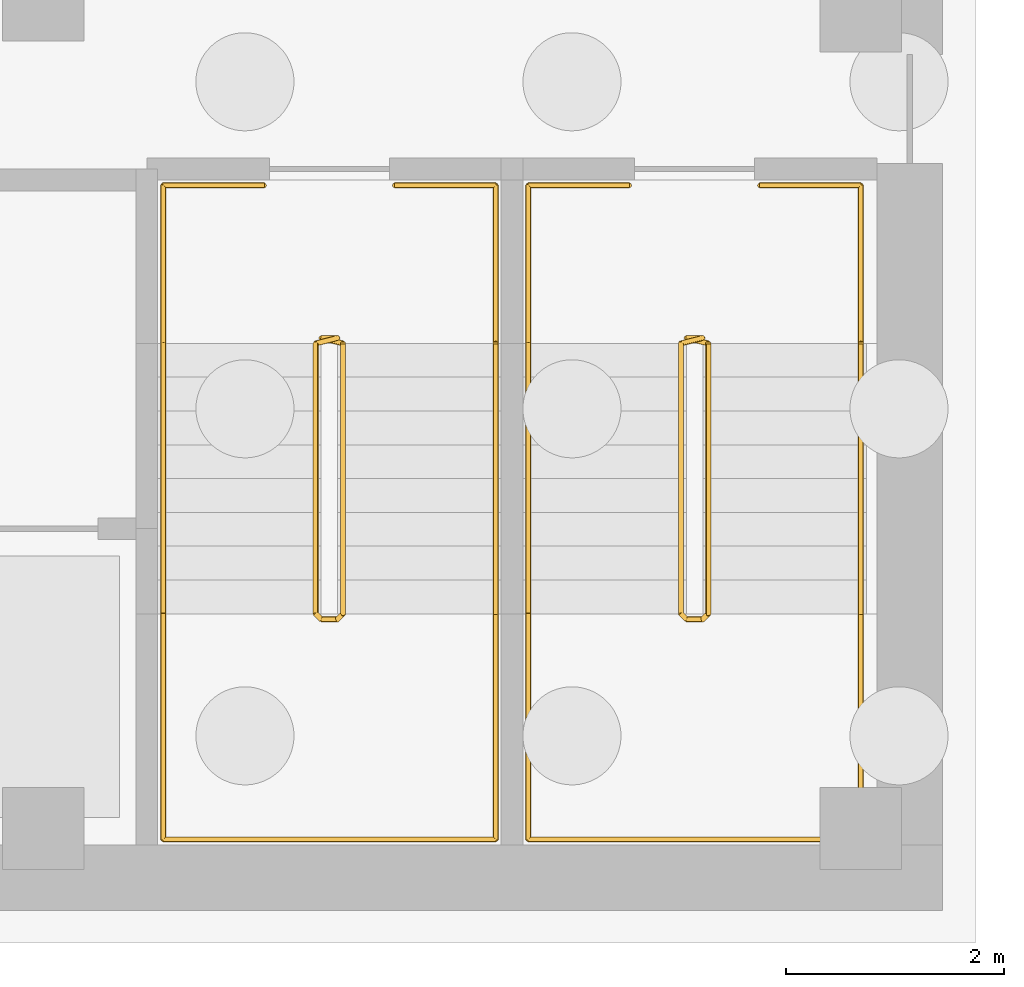
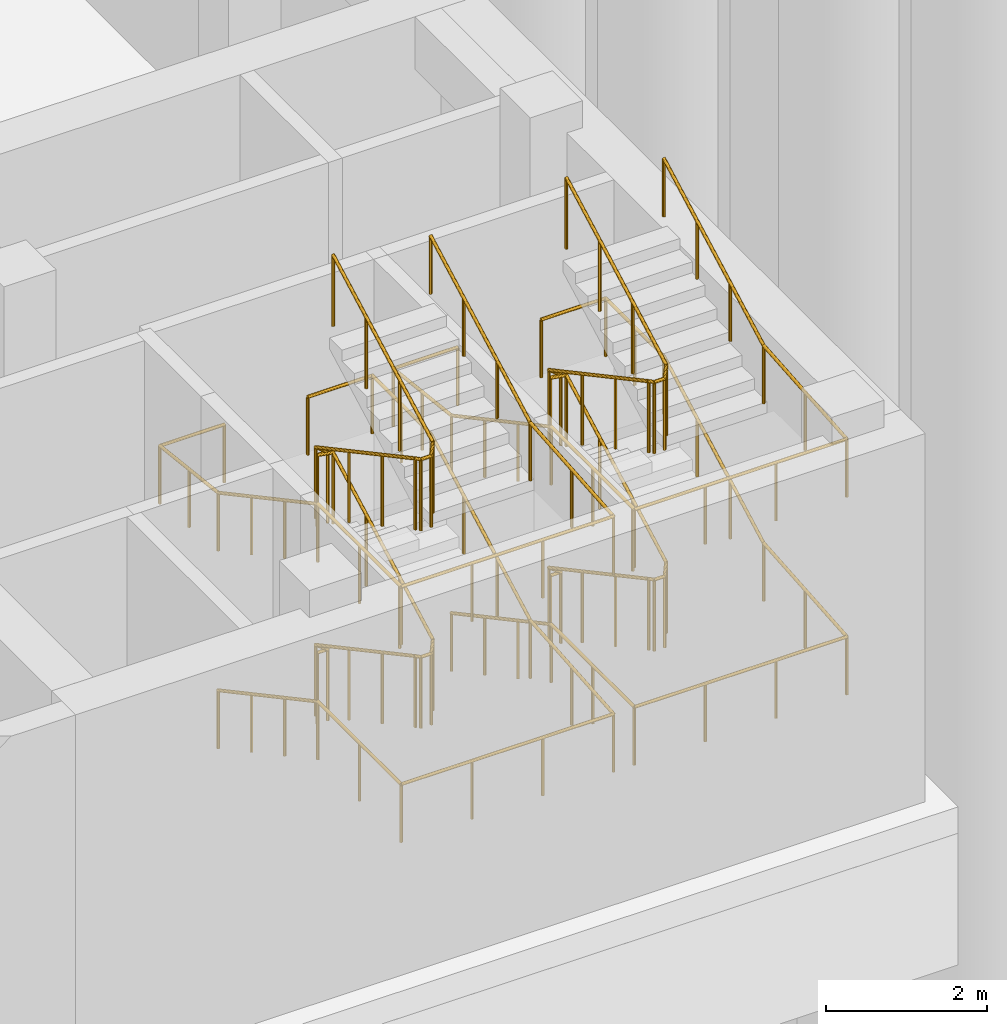
# One storey, part 19 of 26: 6 railings.
"""IFC4 building model written with IfcOpenShell, lengths in metres."""

from ifc_helpers import new_model, si_unit, direction, frame, origin, origin_2d, place, context, subcontext, project, spatial, circle, extrude, material, type_object, element, save


model = new_model("IFC4")

# Units and contexts
model_context = context("Model", 3, precision=1e-05, world=origin(), true_north=direction((0.0, 1.0)))
body_context = subcontext(model_context, "Body", "Model", "MODEL_VIEW")
ifc_project = project(units=[si_unit("LENGTHUNIT", "METRE"), si_unit("AREAUNIT", "SQUARE_METRE"), si_unit("VOLUMEUNIT", "CUBIC_METRE"), si_unit("PLANEANGLEUNIT", "RADIAN"), si_unit("MASSUNIT", "GRAM", prefix="KILO")], contexts=[model_context])

# Site, building, storey
site_placement = place(None, origin())
site = spatial("IfcSite", under=ifc_project, at=site_placement, CompositionType="ELEMENT")
building_placement = place(site_placement, origin())
building = spatial("IfcBuilding", under=site, at=building_placement, Name="Tessera Arch", CompositionType="ELEMENT")
storey_placement = place(building_placement, frame((0.0, 0.0, -6.0)))
storey = spatial("IfcBuildingStorey", under=building, at=storey_placement, Name="B1", CompositionType="ELEMENT", Elevation=-6.0)

# Railings
ifc_material_1 = material(Name="Painted steel balustrade", Category="steel")
railing_type_1 = type_object("IfcRailingType", Name="Stair guard 1100", PredefinedType="GUARDRAIL", material=ifc_material_1)
railing_1_placement = place(storey_placement, frame((11.60009765625, -27.300048828125, 0.0)))
element("IfcRailing", 1, at=railing_1_placement, inside=storey, type_object=railing_type_1, Name="B1 M3a stair guard 1", PredefinedType="GUARDRAIL", context=body_context, shape_type="SweptSolid", body=[
    extrude(circle(Radius=0.02392578125, at=origin_2d()), frame((-0.00390625, 0.0, 1.076171875), z_axis=(1.0, 0.0, 0.0), x_axis=(0.0, 1.0, 0.0)), (0.0, 0.0, 1.0), 0.157958984375),
    extrude(circle(Radius=0.02392578125, at=origin_2d()), frame((0.15283203125, 0.000732421875, 1.073486328125), z_axis=(-0.754182335027, -0.188775798145, 0.628945707965), x_axis=(0.242814311512, -0.970072785993, 0.0)), (0.0, 0.0, 1.0), 0.273193359375),
    extrude(circle(Radius=0.02392578125, at=origin_2d()), frame((-0.050048828125, -0.046630859375, 1.240966796875), z_axis=(0.0, -0.880785522881, 0.473515430248), x_axis=(1.0, 0.0, 0.0)), (0.0, 0.0, 1.0), 2.82373046875),
    extrude(circle(Radius=0.02392578125, at=origin_2d()), frame((-0.052978515625, -2.527099609375, 2.576171875), z_axis=(0.708833529934, -0.705375805398, 0.0), x_axis=(0.705375805398, 0.708833529934, 0.0)), (0.0, 0.0, 1.0), 0.07861328125),
    extrude(circle(Radius=0.02392578125, at=origin_2d()), frame((-0.00390625, -2.579833984375, 2.576171875), z_axis=(1.0, 0.0, 0.0), x_axis=(0.0, 1.0, 0.0)), (0.0, 0.0, 1.0), 0.157958984375),
    extrude(circle(Radius=0.02392578125, at=origin_2d()), frame((0.148681640625, -2.5810546875, 2.572265625), z_axis=(0.276389281352, 0.275041040955, 0.920848191041), x_axis=(-0.705375805398, 0.708833529934, 0.0)), (0.0, 0.0, 1.0), 0.18896484375),
    extrude(circle(Radius=0.02392578125, at=origin_2d()), frame((0.199951171875, -2.533447265625, 2.740966796875), z_axis=(0.0, 0.880785522881, 0.473515430248), x_axis=(-1.0, 0.0, 0.0)), (0.0, 0.0, 1.0), 2.82373046875),
    extrude(circle(Radius=0.02392578125, at=origin_2d()), frame((0.203857421875, -0.051025390625, 4.076171875), z_axis=(-0.970072785993, 0.242814311512, 0.0), x_axis=(-0.242814311512, -0.970072785993, 0.0)), (0.0, 0.0, 1.0), 0.214111328125),
    extrude(circle(Radius=0.02392578125, at=origin_2d()), frame((-0.00390625, 0.0, 4.076171875), z_axis=(1.0, 0.0, 0.0), x_axis=(0.0, 1.0, 0.0)), (0.0, 0.0, 1.0), 0.157958984375),
    extrude(circle(Radius=0.02392578125, at=origin_2d()), frame((0.15283203125, 0.000732421875, 4.073486328125), z_axis=(-0.754182335027, -0.188775798145, 0.628945707965), x_axis=(0.242814311512, -0.970072785993, 0.0)), (0.0, 0.0, 1.0), 0.273193359375),
    extrude(circle(Radius=0.02392578125, at=origin_2d()), frame((-0.050048828125, -0.046630859375, 4.240966796875), z_axis=(0.0, -0.880785522881, 0.473515430248), x_axis=(1.0, 0.0, 0.0)), (0.0, 0.0, 1.0), 2.82373046875),
    extrude(circle(Radius=0.02392578125, at=origin_2d()), frame((-0.052978515625, -2.527099609375, 5.576171875), z_axis=(0.708833529934, -0.705375805398, 0.0), x_axis=(0.705375805398, 0.708833529934, 0.0)), (0.0, 0.0, 1.0), 0.07861328125),
    extrude(circle(Radius=0.02392578125, at=origin_2d()), frame((-0.00390625, -2.579833984375, 5.576171875), z_axis=(1.0, 0.0, 0.0), x_axis=(0.0, 1.0, 0.0)), (0.0, 0.0, 1.0), 0.157958984375),
    extrude(circle(Radius=0.02392578125, at=origin_2d()), frame((0.148681640625, -2.5810546875, 5.572265625), z_axis=(0.276389281352, 0.275041040955, 0.920848191041), x_axis=(-0.705375805398, 0.708833529934, 0.0)), (0.0, 0.0, 1.0), 0.18896484375),
    extrude(circle(Radius=0.02392578125, at=origin_2d()), frame((0.199951171875, -2.533447265625, 5.740966796875), z_axis=(0.0, 0.880785522881, 0.473515430248), x_axis=(-1.0, 0.0, 0.0)), (0.0, 0.0, 1.0), 2.82373046875),
    extrude(circle(Radius=0.02099609375, at=origin_2d()), origin(), (0.0, 0.0, 1.0), 1.06396484375),
    extrude(circle(Radius=0.02099609375, at=origin_2d()), frame((0.14990234375, 0.0, 0.0)), (0.0, 0.0, 1.0), 1.06396484375),
    extrude(circle(Radius=0.02099609375, at=origin_2d()), frame((-0.050048828125, -0.050048828125, 0.166748046875)), (0.0, 0.0, 1.0), 1.06396484375),
    extrude(circle(Radius=0.02099609375, at=origin_2d()), frame((-0.050048828125, -0.876708984375, 0.611083984375)), (0.0, 0.0, 1.0), 1.06396484375),
    extrude(circle(Radius=0.02099609375, at=origin_2d()), frame((-0.050048828125, -1.703369140625, 1.0556640625)), (0.0, 0.0, 1.0), 1.06396484375),
    extrude(circle(Radius=0.02099609375, at=origin_2d()), frame((-0.050048828125, -2.530029296875, 1.5)), (0.0, 0.0, 1.0), 1.06396484375),
    extrude(circle(Radius=0.02099609375, at=origin_2d()), frame((0.0, -2.579833984375, 1.5)), (0.0, 0.0, 1.0), 1.06396484375),
    extrude(circle(Radius=0.02099609375, at=origin_2d()), frame((0.14990234375, -2.579833984375, 1.5)), (0.0, 0.0, 1.0), 1.06396484375),
    extrude(circle(Radius=0.02099609375, at=origin_2d()), frame((0.199951171875, -2.530029296875, 1.666748046875)), (0.0, 0.0, 1.0), 1.06396484375),
    extrude(circle(Radius=0.02099609375, at=origin_2d()), frame((0.199951171875, -1.703369140625, 2.111083984375)), (0.0, 0.0, 1.0), 1.06396484375),
    extrude(circle(Radius=0.02099609375, at=origin_2d()), frame((0.199951171875, -0.876708984375, 2.5556640625)), (0.0, 0.0, 1.0), 1.06396484375),
    extrude(circle(Radius=0.02099609375, at=origin_2d()), frame((0.199951171875, -0.050048828125, 3.0)), (0.0, 0.0, 1.0), 1.06396484375),
    extrude(circle(Radius=0.02099609375, at=origin_2d()), frame((0.0, 0.0, 3.0)), (0.0, 0.0, 1.0), 1.06396484375),
    extrude(circle(Radius=0.02099609375, at=origin_2d()), frame((0.14990234375, 0.0, 3.0)), (0.0, 0.0, 1.0), 1.06396484375),
    extrude(circle(Radius=0.02099609375, at=origin_2d()), frame((-0.050048828125, -0.050048828125, 3.166748046875)), (0.0, 0.0, 1.0), 1.06396484375),
    extrude(circle(Radius=0.02099609375, at=origin_2d()), frame((-0.050048828125, -0.876708984375, 3.611083984375)), (0.0, 0.0, 1.0), 1.06396484375),
    extrude(circle(Radius=0.02099609375, at=origin_2d()), frame((-0.050048828125, -1.703369140625, 4.0556640625)), (0.0, 0.0, 1.0), 1.06396484375),
    extrude(circle(Radius=0.02099609375, at=origin_2d()), frame((-0.050048828125, -2.530029296875, 4.5)), (0.0, 0.0, 1.0), 1.06396484375),
    extrude(circle(Radius=0.02099609375, at=origin_2d()), frame((0.0, -2.579833984375, 4.5)), (0.0, 0.0, 1.0), 1.06396484375),
    extrude(circle(Radius=0.02099609375, at=origin_2d()), frame((0.14990234375, -2.579833984375, 4.5)), (0.0, 0.0, 1.0), 1.06396484375),
    extrude(circle(Radius=0.02099609375, at=origin_2d()), frame((0.199951171875, -2.530029296875, 4.666748046875)), (0.0, 0.0, 1.0), 1.06396484375),
    extrude(circle(Radius=0.02099609375, at=origin_2d()), frame((0.199951171875, -1.703369140625, 5.111083984375)), (0.0, 0.0, 1.0), 1.06396484375),
    extrude(circle(Radius=0.02099609375, at=origin_2d()), frame((0.199951171875, -0.876708984375, 5.5556640625)), (0.0, 0.0, 1.0), 1.06396484375),
    extrude(circle(Radius=0.02099609375, at=origin_2d()), frame((0.199951171875, -0.050048828125, 6.0)), (0.0, 0.0, 1.0), 1.06396484375),
])
railing_2_placement = place(storey_placement, frame((8.25, -27.300048828125, 0.0)))
element("IfcRailing", 2, at=railing_2_placement, inside=storey, type_object=railing_type_1, Name="B1 M3b stair guard 1", PredefinedType="GUARDRAIL", context=body_context, shape_type="SweptSolid", body=[
    extrude(circle(Radius=0.02392578125, at=origin_2d()), frame((-0.00390625, 0.0, 1.076171875), z_axis=(1.0, 0.0, 0.0), x_axis=(0.0, 1.0, 0.0)), (0.0, 0.0, 1.0), 0.157958984375),
    extrude(circle(Radius=0.02392578125, at=origin_2d()), frame((0.15283203125, 0.000732421875, 1.073486328125), z_axis=(-0.754182335027, -0.188775798145, 0.628945707965), x_axis=(0.242814311512, -0.970072785993, 0.0)), (0.0, 0.0, 1.0), 0.273193359375),
    extrude(circle(Radius=0.02392578125, at=origin_2d()), frame((-0.050048828125, -0.046630859375, 1.240966796875), z_axis=(0.0, -0.880785522881, 0.473515430248), x_axis=(1.0, 0.0, 0.0)), (0.0, 0.0, 1.0), 2.82373046875),
    extrude(circle(Radius=0.02392578125, at=origin_2d()), frame((-0.052978515625, -2.527099609375, 2.576171875), z_axis=(0.708833529934, -0.705375805398, 0.0), x_axis=(0.705375805398, 0.708833529934, 0.0)), (0.0, 0.0, 1.0), 0.07861328125),
    extrude(circle(Radius=0.02392578125, at=origin_2d()), frame((-0.00390625, -2.579833984375, 2.576171875), z_axis=(1.0, 0.0, 0.0), x_axis=(0.0, 1.0, 0.0)), (0.0, 0.0, 1.0), 0.157958984375),
    extrude(circle(Radius=0.02392578125, at=origin_2d()), frame((0.148681640625, -2.5810546875, 2.572265625), z_axis=(0.276389281352, 0.275041040955, 0.920848191041), x_axis=(-0.705375805398, 0.708833529934, 0.0)), (0.0, 0.0, 1.0), 0.18896484375),
    extrude(circle(Radius=0.02392578125, at=origin_2d()), frame((0.199951171875, -2.533447265625, 2.740966796875), z_axis=(0.0, 0.880785522881, 0.473515430248), x_axis=(-1.0, 0.0, 0.0)), (0.0, 0.0, 1.0), 2.82373046875),
    extrude(circle(Radius=0.02392578125, at=origin_2d()), frame((0.203857421875, -0.051025390625, 4.076171875), z_axis=(-0.970072785993, 0.242814311512, 0.0), x_axis=(-0.242814311512, -0.970072785993, 0.0)), (0.0, 0.0, 1.0), 0.214111328125),
    extrude(circle(Radius=0.02392578125, at=origin_2d()), frame((-0.00390625, 0.0, 4.076171875), z_axis=(1.0, 0.0, 0.0), x_axis=(0.0, 1.0, 0.0)), (0.0, 0.0, 1.0), 0.157958984375),
    extrude(circle(Radius=0.02392578125, at=origin_2d()), frame((0.15283203125, 0.000732421875, 4.073486328125), z_axis=(-0.754182335027, -0.188775798145, 0.628945707965), x_axis=(0.242814311512, -0.970072785993, 0.0)), (0.0, 0.0, 1.0), 0.273193359375),
    extrude(circle(Radius=0.02392578125, at=origin_2d()), frame((-0.050048828125, -0.046630859375, 4.240966796875), z_axis=(0.0, -0.880785522881, 0.473515430248), x_axis=(1.0, 0.0, 0.0)), (0.0, 0.0, 1.0), 2.82373046875),
    extrude(circle(Radius=0.02392578125, at=origin_2d()), frame((-0.052978515625, -2.527099609375, 5.576171875), z_axis=(0.708833529934, -0.705375805398, 0.0), x_axis=(0.705375805398, 0.708833529934, 0.0)), (0.0, 0.0, 1.0), 0.07861328125),
    extrude(circle(Radius=0.02392578125, at=origin_2d()), frame((-0.00390625, -2.579833984375, 5.576171875), z_axis=(1.0, 0.0, 0.0), x_axis=(0.0, 1.0, 0.0)), (0.0, 0.0, 1.0), 0.157958984375),
    extrude(circle(Radius=0.02392578125, at=origin_2d()), frame((0.148681640625, -2.5810546875, 5.572265625), z_axis=(0.276389281352, 0.275041040955, 0.920848191041), x_axis=(-0.705375805398, 0.708833529934, 0.0)), (0.0, 0.0, 1.0), 0.18896484375),
    extrude(circle(Radius=0.02392578125, at=origin_2d()), frame((0.199951171875, -2.533447265625, 5.740966796875), z_axis=(0.0, 0.880785522881, 0.473515430248), x_axis=(-1.0, 0.0, 0.0)), (0.0, 0.0, 1.0), 2.82373046875),
    extrude(circle(Radius=0.02099609375, at=origin_2d()), origin(), (0.0, 0.0, 1.0), 1.06396484375),
    extrude(circle(Radius=0.02099609375, at=origin_2d()), frame((0.14990234375, 0.0, 0.0)), (0.0, 0.0, 1.0), 1.06396484375),
    extrude(circle(Radius=0.02099609375, at=origin_2d()), frame((-0.050048828125, -0.050048828125, 0.166748046875)), (0.0, 0.0, 1.0), 1.06396484375),
    extrude(circle(Radius=0.02099609375, at=origin_2d()), frame((-0.050048828125, -0.876708984375, 0.611083984375)), (0.0, 0.0, 1.0), 1.06396484375),
    extrude(circle(Radius=0.02099609375, at=origin_2d()), frame((-0.050048828125, -1.703369140625, 1.0556640625)), (0.0, 0.0, 1.0), 1.06396484375),
    extrude(circle(Radius=0.02099609375, at=origin_2d()), frame((-0.050048828125, -2.530029296875, 1.5)), (0.0, 0.0, 1.0), 1.06396484375),
    extrude(circle(Radius=0.02099609375, at=origin_2d()), frame((0.0, -2.579833984375, 1.5)), (0.0, 0.0, 1.0), 1.06396484375),
    extrude(circle(Radius=0.02099609375, at=origin_2d()), frame((0.14990234375, -2.579833984375, 1.5)), (0.0, 0.0, 1.0), 1.06396484375),
    extrude(circle(Radius=0.02099609375, at=origin_2d()), frame((0.199951171875, -2.530029296875, 1.666748046875)), (0.0, 0.0, 1.0), 1.06396484375),
    extrude(circle(Radius=0.02099609375, at=origin_2d()), frame((0.199951171875, -1.703369140625, 2.111083984375)), (0.0, 0.0, 1.0), 1.06396484375),
    extrude(circle(Radius=0.02099609375, at=origin_2d()), frame((0.199951171875, -0.876708984375, 2.5556640625)), (0.0, 0.0, 1.0), 1.06396484375),
    extrude(circle(Radius=0.02099609375, at=origin_2d()), frame((0.199951171875, -0.050048828125, 3.0)), (0.0, 0.0, 1.0), 1.06396484375),
    extrude(circle(Radius=0.02099609375, at=origin_2d()), frame((0.0, 0.0, 3.0)), (0.0, 0.0, 1.0), 1.06396484375),
    extrude(circle(Radius=0.02099609375, at=origin_2d()), frame((0.14990234375, 0.0, 3.0)), (0.0, 0.0, 1.0), 1.06396484375),
    extrude(circle(Radius=0.02099609375, at=origin_2d()), frame((-0.050048828125, -0.050048828125, 3.166748046875)), (0.0, 0.0, 1.0), 1.06396484375),
    extrude(circle(Radius=0.02099609375, at=origin_2d()), frame((-0.050048828125, -0.876708984375, 3.611083984375)), (0.0, 0.0, 1.0), 1.06396484375),
    extrude(circle(Radius=0.02099609375, at=origin_2d()), frame((-0.050048828125, -1.703369140625, 4.0556640625)), (0.0, 0.0, 1.0), 1.06396484375),
    extrude(circle(Radius=0.02099609375, at=origin_2d()), frame((-0.050048828125, -2.530029296875, 4.5)), (0.0, 0.0, 1.0), 1.06396484375),
    extrude(circle(Radius=0.02099609375, at=origin_2d()), frame((0.0, -2.579833984375, 4.5)), (0.0, 0.0, 1.0), 1.06396484375),
    extrude(circle(Radius=0.02099609375, at=origin_2d()), frame((0.14990234375, -2.579833984375, 4.5)), (0.0, 0.0, 1.0), 1.06396484375),
    extrude(circle(Radius=0.02099609375, at=origin_2d()), frame((0.199951171875, -2.530029296875, 4.666748046875)), (0.0, 0.0, 1.0), 1.06396484375),
    extrude(circle(Radius=0.02099609375, at=origin_2d()), frame((0.199951171875, -1.703369140625, 5.111083984375)), (0.0, 0.0, 1.0), 1.06396484375),
    extrude(circle(Radius=0.02099609375, at=origin_2d()), frame((0.199951171875, -0.876708984375, 5.5556640625)), (0.0, 0.0, 1.0), 1.06396484375),
    extrude(circle(Radius=0.02099609375, at=origin_2d()), frame((0.199951171875, -0.050048828125, 6.0)), (0.0, 0.0, 1.0), 1.06396484375),
])
ifc_material_2 = material(Name="Painted steel handrail", Category="steel")
railing_type_2 = type_object("IfcRailingType", Name="Stair handrail 900", PredefinedType="HANDRAIL", material=ifc_material_2)
railing_3_placement = place(storey_placement, frame((10.14990234375, -27.35009765625, 0.166748046875)))
element("IfcRailing", 3, at=railing_3_placement, inside=storey, type_object=railing_type_2, Name="B1 M3a stair handrail", PredefinedType="HANDRAIL", context=body_context, shape_type="SweptSolid", body=[
    extrude(circle(Radius=0.02392578125, at=origin_2d()), frame((0.0, 0.00341796875, 0.8740234375), z_axis=(0.0, -0.880785522881, 0.473515430248), x_axis=(1.0, 0.0, 0.0)), (0.0, 0.0, 1.0), 2.82373046875),
    extrude(circle(Radius=0.02392578125, at=origin_2d()), frame((0.0, -2.47607421875, 2.208984375), z_axis=(0.0, -1.0, 0.0), x_axis=(1.0, 0.0, 0.0)), (0.0, 0.0, 1.0), 2.077880859375),
    extrude(circle(Radius=0.02392578125, at=origin_2d()), frame((-0.00390625, -4.5498046875, 2.208984375), z_axis=(1.0, 0.0, 0.0), x_axis=(0.0, 1.0, 0.0)), (0.0, 0.0, 1.0), 3.05810546875),
    extrude(circle(Radius=0.02392578125, at=origin_2d()), frame((3.050048828125, -4.5537109375, 2.208740234375), z_axis=(0.0, 0.99677063694, 0.080301290992), x_axis=(-1.0, 0.0, 0.0)), (0.0, 0.0, 1.0), 2.08447265625),
    extrude(circle(Radius=0.02392578125, at=origin_2d()), frame((3.050048828125, -2.4833984375, 2.3740234375), z_axis=(0.0, 0.880785522881, 0.473515430248), x_axis=(-1.0, 0.0, 0.0)), (0.0, 0.0, 1.0), 2.82373046875),
    extrude(circle(Radius=0.02392578125, at=origin_2d()), frame((3.050048828125, -0.00390625, 3.708984375), z_axis=(0.0, 1.0, 0.0), x_axis=(-1.0, 0.0, 0.0)), (0.0, 0.0, 1.0), 1.458251953125),
    extrude(circle(Radius=0.02392578125, at=origin_2d()), frame((3.053955078125, 1.4501953125, 3.708984375), z_axis=(-1.0, 0.0, 0.0), x_axis=(0.0, -1.0, 0.0)), (0.0, 0.0, 1.0), 0.93310546875),
    extrude(circle(Radius=0.02099609375, at=origin_2d()), origin(), (0.0, 0.0, 1.0), 0.86376953125),
    extrude(circle(Radius=0.02099609375, at=origin_2d()), frame((0.0, -0.82666015625, 0.4443359375)), (0.0, 0.0, 1.0), 0.86376953125),
    extrude(circle(Radius=0.02099609375, at=origin_2d()), frame((0.0, -1.6533203125, 0.888916015625)), (0.0, 0.0, 1.0), 0.86376953125),
    extrude(circle(Radius=0.02099609375, at=origin_2d()), frame((0.0, -2.47998046875, 1.333251953125)), (0.0, 0.0, 1.0), 0.86376953125),
    extrude(circle(Radius=0.02099609375, at=origin_2d()), frame((0.0, -3.514892578125, 1.333251953125)), (0.0, 0.0, 1.0), 0.86376953125),
    extrude(circle(Radius=0.02099609375, at=origin_2d()), frame((0.0, -4.5498046875, 1.333251953125)), (0.0, 0.0, 1.0), 0.86376953125),
    extrude(circle(Radius=0.02099609375, at=origin_2d()), frame((1.0166015625, -4.5498046875, 1.333251953125)), (0.0, 0.0, 1.0), 0.86376953125),
    extrude(circle(Radius=0.02099609375, at=origin_2d()), frame((2.033447265625, -4.5498046875, 1.333251953125)), (0.0, 0.0, 1.0), 0.86376953125),
    extrude(circle(Radius=0.02099609375, at=origin_2d()), frame((3.050048828125, -4.5498046875, 1.333251953125)), (0.0, 0.0, 1.0), 0.86376953125),
    extrude(circle(Radius=0.02099609375, at=origin_2d()), frame((3.050048828125, -3.514892578125, 1.41650390625)), (0.0, 0.0, 1.0), 0.86376953125),
    extrude(circle(Radius=0.02099609375, at=origin_2d()), frame((3.050048828125, -2.47998046875, 1.5)), (0.0, 0.0, 1.0), 0.86376953125),
    extrude(circle(Radius=0.02099609375, at=origin_2d()), frame((3.050048828125, -1.6533203125, 1.9443359375)), (0.0, 0.0, 1.0), 0.86376953125),
    extrude(circle(Radius=0.02099609375, at=origin_2d()), frame((3.050048828125, -0.82666015625, 2.388916015625)), (0.0, 0.0, 1.0), 0.86376953125),
    extrude(circle(Radius=0.02099609375, at=origin_2d()), frame((3.050048828125, 0.0, 2.833251953125)), (0.0, 0.0, 1.0), 0.86376953125),
    extrude(circle(Radius=0.02099609375, at=origin_2d()), frame((3.050048828125, 0.72509765625, 2.833251953125)), (0.0, 0.0, 1.0), 0.86376953125),
    extrude(circle(Radius=0.02099609375, at=origin_2d()), frame((3.050048828125, 1.4501953125, 2.833251953125)), (0.0, 0.0, 1.0), 0.86376953125),
    extrude(circle(Radius=0.02099609375, at=origin_2d()), frame((2.125, 1.4501953125, 2.833251953125)), (0.0, 0.0, 1.0), 0.86376953125),
])
railing_4_placement = place(storey_placement, frame((11.074951171875, -25.89990234375, 3.0)))
element("IfcRailing", 4, at=railing_4_placement, inside=storey, type_object=railing_type_2, Name="B1 M3a stair handrail 2", PredefinedType="HANDRAIL", context=body_context, shape_type="SweptSolid", body=[
    extrude(circle(Radius=0.02392578125, at=origin_2d()), frame((0.00390625, 0.0, 0.8759765625), z_axis=(-1.0, 0.0, 0.0), x_axis=(0.0, -1.0, 0.0)), (0.0, 0.0, 1.0), 0.93310546875),
    extrude(circle(Radius=0.02392578125, at=origin_2d()), frame((-0.925048828125, 0.00390625, 0.87548828125), z_axis=(0.0, -0.993454271282, 0.114230516378), x_axis=(1.0, 0.0, 0.0)), (0.0, 0.0, 1.0), 1.4677734375),
    extrude(circle(Radius=0.02392578125, at=origin_2d()), frame((-0.925048828125, -1.44677734375, 1.040771484375), z_axis=(0.0, -0.880785522881, 0.473515430248), x_axis=(1.0, 0.0, 0.0)), (0.0, 0.0, 1.0), 2.82373046875),
    extrude(circle(Radius=0.02392578125, at=origin_2d()), frame((-0.925048828125, -3.92626953125, 2.3759765625), z_axis=(0.0, -1.0, 0.0), x_axis=(1.0, 0.0, 0.0)), (0.0, 0.0, 1.0), 2.077880859375),
    extrude(circle(Radius=0.02392578125, at=origin_2d()), frame((-0.928955078125, -6.0, 2.3759765625), z_axis=(1.0, 0.0, 0.0), x_axis=(0.0, 1.0, 0.0)), (0.0, 0.0, 1.0), 3.05810546875),
    extrude(circle(Radius=0.02392578125, at=origin_2d()), frame((2.125, -6.00390625, 2.37548828125), z_axis=(0.0, 0.99677063694, 0.080301290992), x_axis=(-1.0, 0.0, 0.0)), (0.0, 0.0, 1.0), 2.08447265625),
    extrude(circle(Radius=0.02392578125, at=origin_2d()), frame((2.125, -3.93359375, 2.540771484375), z_axis=(0.0, 0.880785522881, 0.473515430248), x_axis=(-1.0, 0.0, 0.0)), (0.0, 0.0, 1.0), 2.82373046875),
    extrude(circle(Radius=0.02099609375, at=origin_2d()), origin(), (0.0, 0.0, 1.0), 0.86376953125),
    extrude(circle(Radius=0.02099609375, at=origin_2d()), frame((-0.925048828125, 0.0, 0.0)), (0.0, 0.0, 1.0), 0.86376953125),
    extrude(circle(Radius=0.02099609375, at=origin_2d()), frame((-0.925048828125, -0.72509765625, 0.08349609375)), (0.0, 0.0, 1.0), 0.86376953125),
    extrude(circle(Radius=0.02099609375, at=origin_2d()), frame((-0.925048828125, -1.4501953125, 0.166748046875)), (0.0, 0.0, 1.0), 0.86376953125),
    extrude(circle(Radius=0.02099609375, at=origin_2d()), frame((-0.925048828125, -2.27685546875, 0.611083984375)), (0.0, 0.0, 1.0), 0.86376953125),
    extrude(circle(Radius=0.02099609375, at=origin_2d()), frame((-0.925048828125, -3.103515625, 1.0556640625)), (0.0, 0.0, 1.0), 0.86376953125),
    extrude(circle(Radius=0.02099609375, at=origin_2d()), frame((-0.925048828125, -3.93017578125, 1.5)), (0.0, 0.0, 1.0), 0.86376953125),
    extrude(circle(Radius=0.02099609375, at=origin_2d()), frame((-0.925048828125, -4.965087890625, 1.5)), (0.0, 0.0, 1.0), 0.86376953125),
    extrude(circle(Radius=0.02099609375, at=origin_2d()), frame((-0.925048828125, -6.0, 1.5)), (0.0, 0.0, 1.0), 0.86376953125),
    extrude(circle(Radius=0.02099609375, at=origin_2d()), frame((0.091552734375, -6.0, 1.5)), (0.0, 0.0, 1.0), 0.86376953125),
    extrude(circle(Radius=0.02099609375, at=origin_2d()), frame((1.1083984375, -6.0, 1.5)), (0.0, 0.0, 1.0), 0.86376953125),
    extrude(circle(Radius=0.02099609375, at=origin_2d()), frame((2.125, -6.0, 1.5)), (0.0, 0.0, 1.0), 0.86376953125),
    extrude(circle(Radius=0.02099609375, at=origin_2d()), frame((2.125, -4.965087890625, 1.58349609375)), (0.0, 0.0, 1.0), 0.86376953125),
    extrude(circle(Radius=0.02099609375, at=origin_2d()), frame((2.125, -3.93017578125, 1.666748046875)), (0.0, 0.0, 1.0), 0.86376953125),
    extrude(circle(Radius=0.02099609375, at=origin_2d()), frame((2.125, -3.103515625, 2.111083984375)), (0.0, 0.0, 1.0), 0.86376953125),
    extrude(circle(Radius=0.02099609375, at=origin_2d()), frame((2.125, -2.27685546875, 2.5556640625)), (0.0, 0.0, 1.0), 0.86376953125),
    extrude(circle(Radius=0.02099609375, at=origin_2d()), frame((2.125, -1.4501953125, 3.0)), (0.0, 0.0, 1.0), 0.86376953125),
])
railing_5_placement = place(storey_placement, frame((6.800048828125, -27.35009765625, 0.166748046875)))
element("IfcRailing", 5, at=railing_5_placement, inside=storey, type_object=railing_type_2, Name="B1 M3b stair handrail", PredefinedType="HANDRAIL", context=body_context, shape_type="SweptSolid", body=[
    extrude(circle(Radius=0.02392578125, at=origin_2d()), frame((0.0, 0.00341796875, 0.8740234375), z_axis=(0.0, -0.880785522881, 0.473515430248), x_axis=(1.0, 0.0, 0.0)), (0.0, 0.0, 1.0), 2.82373046875),
    extrude(circle(Radius=0.02392578125, at=origin_2d()), frame((0.0, -2.47607421875, 2.208984375), z_axis=(0.0, -1.0, 0.0), x_axis=(1.0, 0.0, 0.0)), (0.0, 0.0, 1.0), 2.077880859375),
    extrude(circle(Radius=0.02392578125, at=origin_2d()), frame((-0.00390625, -4.5498046875, 2.208984375), z_axis=(1.0, 0.0, 0.0), x_axis=(0.0, 1.0, 0.0)), (0.0, 0.0, 1.0), 3.05810546875),
    extrude(circle(Radius=0.02392578125, at=origin_2d()), frame((3.050048828125, -4.5537109375, 2.208740234375), z_axis=(0.0, 0.99677063694, 0.080301290992), x_axis=(-1.0, 0.0, 0.0)), (0.0, 0.0, 1.0), 2.08447265625),
    extrude(circle(Radius=0.02392578125, at=origin_2d()), frame((3.050048828125, -2.4833984375, 2.3740234375), z_axis=(0.0, 0.880785522881, 0.473515430248), x_axis=(-1.0, 0.0, 0.0)), (0.0, 0.0, 1.0), 2.82373046875),
    extrude(circle(Radius=0.02392578125, at=origin_2d()), frame((3.050048828125, -0.00390625, 3.708984375), z_axis=(0.0, 1.0, 0.0), x_axis=(-1.0, 0.0, 0.0)), (0.0, 0.0, 1.0), 1.458251953125),
    extrude(circle(Radius=0.02392578125, at=origin_2d()), frame((3.053955078125, 1.4501953125, 3.708984375), z_axis=(-1.0, 0.0, 0.0), x_axis=(0.0, -1.0, 0.0)), (0.0, 0.0, 1.0), 0.93310546875),
    extrude(circle(Radius=0.02099609375, at=origin_2d()), origin(), (0.0, 0.0, 1.0), 0.86376953125),
    extrude(circle(Radius=0.02099609375, at=origin_2d()), frame((0.0, -0.82666015625, 0.4443359375)), (0.0, 0.0, 1.0), 0.86376953125),
    extrude(circle(Radius=0.02099609375, at=origin_2d()), frame((0.0, -1.6533203125, 0.888916015625)), (0.0, 0.0, 1.0), 0.86376953125),
    extrude(circle(Radius=0.02099609375, at=origin_2d()), frame((0.0, -2.47998046875, 1.333251953125)), (0.0, 0.0, 1.0), 0.86376953125),
    extrude(circle(Radius=0.02099609375, at=origin_2d()), frame((0.0, -3.514892578125, 1.333251953125)), (0.0, 0.0, 1.0), 0.86376953125),
    extrude(circle(Radius=0.02099609375, at=origin_2d()), frame((0.0, -4.5498046875, 1.333251953125)), (0.0, 0.0, 1.0), 0.86376953125),
    extrude(circle(Radius=0.02099609375, at=origin_2d()), frame((1.0166015625, -4.5498046875, 1.333251953125)), (0.0, 0.0, 1.0), 0.86376953125),
    extrude(circle(Radius=0.02099609375, at=origin_2d()), frame((2.033447265625, -4.5498046875, 1.333251953125)), (0.0, 0.0, 1.0), 0.86376953125),
    extrude(circle(Radius=0.02099609375, at=origin_2d()), frame((3.050048828125, -4.5498046875, 1.333251953125)), (0.0, 0.0, 1.0), 0.86376953125),
    extrude(circle(Radius=0.02099609375, at=origin_2d()), frame((3.050048828125, -3.514892578125, 1.41650390625)), (0.0, 0.0, 1.0), 0.86376953125),
    extrude(circle(Radius=0.02099609375, at=origin_2d()), frame((3.050048828125, -2.47998046875, 1.5)), (0.0, 0.0, 1.0), 0.86376953125),
    extrude(circle(Radius=0.02099609375, at=origin_2d()), frame((3.050048828125, -1.6533203125, 1.9443359375)), (0.0, 0.0, 1.0), 0.86376953125),
    extrude(circle(Radius=0.02099609375, at=origin_2d()), frame((3.050048828125, -0.82666015625, 2.388916015625)), (0.0, 0.0, 1.0), 0.86376953125),
    extrude(circle(Radius=0.02099609375, at=origin_2d()), frame((3.050048828125, 0.0, 2.833251953125)), (0.0, 0.0, 1.0), 0.86376953125),
    extrude(circle(Radius=0.02099609375, at=origin_2d()), frame((3.050048828125, 0.72509765625, 2.833251953125)), (0.0, 0.0, 1.0), 0.86376953125),
    extrude(circle(Radius=0.02099609375, at=origin_2d()), frame((3.050048828125, 1.4501953125, 2.833251953125)), (0.0, 0.0, 1.0), 0.86376953125),
    extrude(circle(Radius=0.02099609375, at=origin_2d()), frame((2.125, 1.4501953125, 2.833251953125)), (0.0, 0.0, 1.0), 0.86376953125),
])
railing_6_placement = place(storey_placement, frame((7.72509765625, -25.89990234375, 3.0)))
element("IfcRailing", 6, at=railing_6_placement, inside=storey, type_object=railing_type_2, Name="B1 M3b stair handrail 2", PredefinedType="HANDRAIL", context=body_context, shape_type="SweptSolid", body=[
    extrude(circle(Radius=0.02392578125, at=origin_2d()), frame((0.00390625, 0.0, 0.8759765625), z_axis=(-1.0, 0.0, 0.0), x_axis=(0.0, -1.0, 0.0)), (0.0, 0.0, 1.0), 0.93310546875),
    extrude(circle(Radius=0.02392578125, at=origin_2d()), frame((-0.925048828125, 0.00390625, 0.87548828125), z_axis=(0.0, -0.993454271282, 0.114230516378), x_axis=(1.0, 0.0, 0.0)), (0.0, 0.0, 1.0), 1.4677734375),
    extrude(circle(Radius=0.02392578125, at=origin_2d()), frame((-0.925048828125, -1.44677734375, 1.040771484375), z_axis=(0.0, -0.880785522881, 0.473515430248), x_axis=(1.0, 0.0, 0.0)), (0.0, 0.0, 1.0), 2.82373046875),
    extrude(circle(Radius=0.02392578125, at=origin_2d()), frame((-0.925048828125, -3.92626953125, 2.3759765625), z_axis=(0.0, -1.0, 0.0), x_axis=(1.0, 0.0, 0.0)), (0.0, 0.0, 1.0), 2.077880859375),
    extrude(circle(Radius=0.02392578125, at=origin_2d()), frame((-0.928955078125, -6.0, 2.3759765625), z_axis=(1.0, 0.0, 0.0), x_axis=(0.0, 1.0, 0.0)), (0.0, 0.0, 1.0), 3.05810546875),
    extrude(circle(Radius=0.02392578125, at=origin_2d()), frame((2.125, -6.00390625, 2.37548828125), z_axis=(0.0, 0.99677063694, 0.080301290992), x_axis=(-1.0, 0.0, 0.0)), (0.0, 0.0, 1.0), 2.08447265625),
    extrude(circle(Radius=0.02392578125, at=origin_2d()), frame((2.125, -3.93359375, 2.540771484375), z_axis=(0.0, 0.880785522881, 0.473515430248), x_axis=(-1.0, 0.0, 0.0)), (0.0, 0.0, 1.0), 2.82373046875),
    extrude(circle(Radius=0.02099609375, at=origin_2d()), origin(), (0.0, 0.0, 1.0), 0.86376953125),
    extrude(circle(Radius=0.02099609375, at=origin_2d()), frame((-0.925048828125, 0.0, 0.0)), (0.0, 0.0, 1.0), 0.86376953125),
    extrude(circle(Radius=0.02099609375, at=origin_2d()), frame((-0.925048828125, -0.72509765625, 0.08349609375)), (0.0, 0.0, 1.0), 0.86376953125),
    extrude(circle(Radius=0.02099609375, at=origin_2d()), frame((-0.925048828125, -1.4501953125, 0.166748046875)), (0.0, 0.0, 1.0), 0.86376953125),
    extrude(circle(Radius=0.02099609375, at=origin_2d()), frame((-0.925048828125, -2.27685546875, 0.611083984375)), (0.0, 0.0, 1.0), 0.86376953125),
    extrude(circle(Radius=0.02099609375, at=origin_2d()), frame((-0.925048828125, -3.103515625, 1.0556640625)), (0.0, 0.0, 1.0), 0.86376953125),
    extrude(circle(Radius=0.02099609375, at=origin_2d()), frame((-0.925048828125, -3.93017578125, 1.5)), (0.0, 0.0, 1.0), 0.86376953125),
    extrude(circle(Radius=0.02099609375, at=origin_2d()), frame((-0.925048828125, -4.965087890625, 1.5)), (0.0, 0.0, 1.0), 0.86376953125),
    extrude(circle(Radius=0.02099609375, at=origin_2d()), frame((-0.925048828125, -6.0, 1.5)), (0.0, 0.0, 1.0), 0.86376953125),
    extrude(circle(Radius=0.02099609375, at=origin_2d()), frame((0.091552734375, -6.0, 1.5)), (0.0, 0.0, 1.0), 0.86376953125),
    extrude(circle(Radius=0.02099609375, at=origin_2d()), frame((1.1083984375, -6.0, 1.5)), (0.0, 0.0, 1.0), 0.86376953125),
    extrude(circle(Radius=0.02099609375, at=origin_2d()), frame((2.125, -6.0, 1.5)), (0.0, 0.0, 1.0), 0.86376953125),
    extrude(circle(Radius=0.02099609375, at=origin_2d()), frame((2.125, -4.965087890625, 1.58349609375)), (0.0, 0.0, 1.0), 0.86376953125),
    extrude(circle(Radius=0.02099609375, at=origin_2d()), frame((2.125, -3.93017578125, 1.666748046875)), (0.0, 0.0, 1.0), 0.86376953125),
    extrude(circle(Radius=0.02099609375, at=origin_2d()), frame((2.125, -3.103515625, 2.111083984375)), (0.0, 0.0, 1.0), 0.86376953125),
    extrude(circle(Radius=0.02099609375, at=origin_2d()), frame((2.125, -2.27685546875, 2.5556640625)), (0.0, 0.0, 1.0), 0.86376953125),
    extrude(circle(Radius=0.02099609375, at=origin_2d()), frame((2.125, -1.4501953125, 3.0)), (0.0, 0.0, 1.0), 0.86376953125),
])

save(model, "model.ifc")
